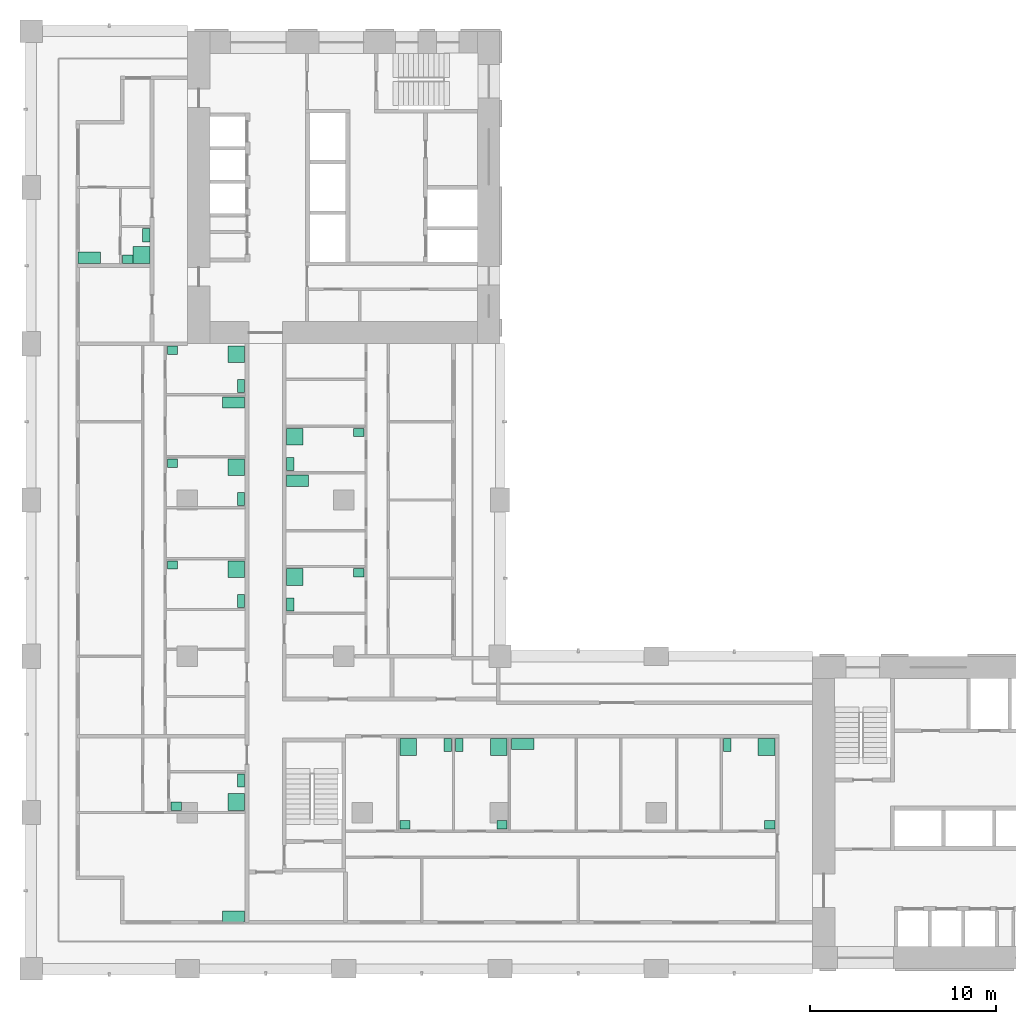
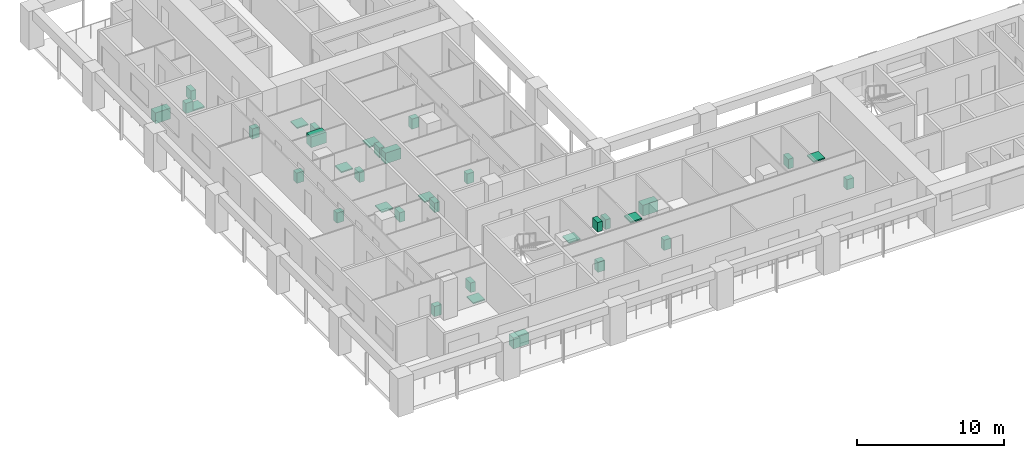
# One storey, part 16 of 16: 35 sanitary terminals.
"""IFC4 building model written with IfcOpenShell, lengths in metres."""

from ifc_helpers import new_model, si_unit, direction, frame, origin, origin_2d, place, context, subcontext, project, spatial, rectangle, extrude, material, element, save


model = new_model("IFC4")

# Units and contexts
model_context = context("Model", 3, precision=1e-05, world=origin(), true_north=direction((0.0, 1.0)))
body_context = subcontext(model_context, "Body", "Model", "MODEL_VIEW")
ifc_project = project(units=[si_unit("LENGTHUNIT", "METRE"), si_unit("AREAUNIT", "SQUARE_METRE"), si_unit("VOLUMEUNIT", "CUBIC_METRE"), si_unit("PLANEANGLEUNIT", "RADIAN"), si_unit("MASSUNIT", "GRAM", prefix="KILO")], contexts=[model_context])

# Site, building, storey
site_placement = place(None, origin())
site = spatial("IfcSite", under=ifc_project, at=site_placement, CompositionType="ELEMENT")
building_placement = place(site_placement, origin())
building = spatial("IfcBuilding", under=site, at=building_placement, Name="Vermilion Gate Residences", CompositionType="ELEMENT")
storey_placement = place(building_placement, frame((0.0, 0.0, 130.199951171875)))
storey = spatial("IfcBuildingStorey", under=building, at=storey_placement, Name="L33", CompositionType="ELEMENT", Elevation=130.199951171875)

# Sanitary terminals
ifc_material_1 = material(Name="Stainless steel", Category="steel")
sanitary_terminal_1_placement = place(storey_placement, frame((10.8798828125, 11.219970703125, 0.0), z_axis=(0.0, 0.0, 1.0), x_axis=(1.0, 0.0, 0.0)))
element("IfcSanitaryTerminal", 1, at=sanitary_terminal_1_placement, inside=storey, material=ifc_material_1, Name="Kitchen sink", PredefinedType="SINK", context=body_context, shape_type="SweptSolid", body=[
    extrude(rectangle(XDim=1.199951171875, YDim=0.60009765625, at=origin_2d()), origin(), (0.0, 0.0, 1.0), 0.89990234375),
])
ifc_material_2 = material(Name="Vitreous china")
sanitary_terminal_2_placement = place(storey_placement, frame((11.030029296875, 17.3701171875, 0.0), z_axis=(0.0, 0.0, 1.0), x_axis=(1.0, 0.0, 0.0)))
element("IfcSanitaryTerminal", 2, at=sanitary_terminal_2_placement, inside=storey, material=ifc_material_2, Name="Shower tray", PredefinedType="SHOWER", context=body_context, shape_type="SweptSolid", body=[
    extrude(rectangle(XDim=0.89990234375, YDim=0.89990234375, at=origin_2d()), origin(), (0.0, 0.0, 1.0), 0.10009765625),
])
sanitary_terminal_3_placement = place(storey_placement, frame((11.280029296875, 18.530029296875, 0.0), z_axis=(0.0, 0.0, 1.0), x_axis=(1.0, 0.0, 0.0)))
element("IfcSanitaryTerminal", 3, at=sanitary_terminal_3_placement, inside=storey, material=ifc_material_2, Name="Toilet", PredefinedType="TOILETPAN", context=body_context, shape_type="SweptSolid", body=[
    extrude(rectangle(XDim=0.39990234375, YDim=0.699951171875, at=origin_2d()), origin(), (0.0, 0.0, 1.0), 0.800048828125),
])
sanitary_terminal_4_placement = place(storey_placement, frame((7.794921875, 17.14501953125, 0.0), z_axis=(0.0, 0.0, 1.0), x_axis=(1.0, 0.0, 0.0)))
element("IfcSanitaryTerminal", 4, at=sanitary_terminal_4_placement, inside=storey, material=ifc_material_2, Name="Wash basin", PredefinedType="WASHHANDBASIN", context=body_context, shape_type="SweptSolid", body=[
    extrude(rectangle(XDim=0.550048828125, YDim=0.449951171875, at=origin_2d()), origin(), (0.0, 0.0, 1.0), 0.85009765625),
])
sanitary_terminal_5_placement = place(storey_placement, frame((20.27001953125, 20.330078125, 0.0), z_axis=(0.0, 0.0, 1.0), x_axis=(1.0, 0.0, 0.0)))
element("IfcSanitaryTerminal", 5, at=sanitary_terminal_5_placement, inside=storey, material=ifc_material_2, Name="Shower tray", PredefinedType="SHOWER", context=body_context, shape_type="SweptSolid", body=[
    extrude(rectangle(XDim=0.89990234375, YDim=0.89990234375, at=origin_2d()), origin(), (0.0, 0.0, 1.0), 0.10009765625),
])
sanitary_terminal_6_placement = place(storey_placement, frame((22.3798828125, 20.429931640625, 0.0), z_axis=(0.0, 0.0, 1.0), x_axis=(1.0, 0.0, 0.0)))
element("IfcSanitaryTerminal", 6, at=sanitary_terminal_6_placement, inside=storey, material=ifc_material_2, Name="Toilet", PredefinedType="TOILETPAN", context=body_context, shape_type="SweptSolid", body=[
    extrude(rectangle(XDim=0.39990234375, YDim=0.699951171875, at=origin_2d()), origin(), (0.0, 0.0, 1.0), 0.800048828125),
])
sanitary_terminal_7_placement = place(storey_placement, frame((20.094970703125, 16.14501953125, 0.0), z_axis=(0.0, 0.0, 1.0), x_axis=(1.0, 0.0, 0.0)))
element("IfcSanitaryTerminal", 7, at=sanitary_terminal_7_placement, inside=storey, material=ifc_material_2, Name="Wash basin", PredefinedType="WASHHANDBASIN", context=body_context, shape_type="SweptSolid", body=[
    extrude(rectangle(XDim=0.550048828125, YDim=0.449951171875, at=origin_2d()), origin(), (0.0, 0.0, 1.0), 0.85009765625),
])
sanitary_terminal_8_placement = place(storey_placement, frame((25.1298828125, 20.330078125, 0.0), z_axis=(0.0, 0.0, 1.0), x_axis=(1.0, 0.0, 0.0)))
element("IfcSanitaryTerminal", 8, at=sanitary_terminal_8_placement, inside=storey, material=ifc_material_2, Name="Shower tray", PredefinedType="SHOWER", context=body_context, shape_type="SweptSolid", body=[
    extrude(rectangle(XDim=0.89990234375, YDim=0.89990234375, at=origin_2d()), origin(), (0.0, 0.0, 1.0), 0.10009765625),
])
sanitary_terminal_9_placement = place(storey_placement, frame((23.02001953125, 20.429931640625, 0.0), z_axis=(0.0, 0.0, 1.0), x_axis=(1.0, 0.0, 0.0)))
element("IfcSanitaryTerminal", 9, at=sanitary_terminal_9_placement, inside=storey, material=ifc_material_2, Name="Toilet", PredefinedType="TOILETPAN", context=body_context, shape_type="SweptSolid", body=[
    extrude(rectangle(XDim=0.39990234375, YDim=0.699951171875, at=origin_2d()), origin(), (0.0, 0.0, 1.0), 0.800048828125),
])
sanitary_terminal_10_placement = place(storey_placement, frame((25.304931640625, 16.14501953125, 0.0), z_axis=(0.0, 0.0, 1.0), x_axis=(1.0, 0.0, 0.0)))
element("IfcSanitaryTerminal", 10, at=sanitary_terminal_10_placement, inside=storey, material=ifc_material_2, Name="Wash basin", PredefinedType="WASHHANDBASIN", context=body_context, shape_type="SweptSolid", body=[
    extrude(rectangle(XDim=0.550048828125, YDim=0.449951171875, at=origin_2d()), origin(), (0.0, 0.0, 1.0), 0.85009765625),
])
sanitary_terminal_11_placement = place(storey_placement, frame((26.419921875, 20.47998046875, 0.0), z_axis=(0.0, 0.0, 1.0), x_axis=(1.0, 0.0, 0.0)))
element("IfcSanitaryTerminal", 11, at=sanitary_terminal_11_placement, inside=storey, material=ifc_material_1, Name="Kitchen sink", PredefinedType="SINK", context=body_context, shape_type="SweptSolid", body=[
    extrude(rectangle(XDim=1.199951171875, YDim=0.60009765625, at=origin_2d()), origin(), (0.0, 0.0, 1.0), 0.89990234375),
])
sanitary_terminal_12_placement = place(storey_placement, frame((39.530029296875, 20.330078125, 0.0), z_axis=(0.0, 0.0, 1.0), x_axis=(1.0, 0.0, 0.0)))
element("IfcSanitaryTerminal", 12, at=sanitary_terminal_12_placement, inside=storey, material=ifc_material_2, Name="Shower tray", PredefinedType="SHOWER", context=body_context, shape_type="SweptSolid", body=[
    extrude(rectangle(XDim=0.89990234375, YDim=0.89990234375, at=origin_2d()), origin(), (0.0, 0.0, 1.0), 0.10009765625),
])
sanitary_terminal_13_placement = place(storey_placement, frame((37.419921875, 20.429931640625, 0.0), z_axis=(0.0, 0.0, 1.0), x_axis=(1.0, 0.0, 0.0)))
element("IfcSanitaryTerminal", 13, at=sanitary_terminal_13_placement, inside=storey, material=ifc_material_2, Name="Toilet", PredefinedType="TOILETPAN", context=body_context, shape_type="SweptSolid", body=[
    extrude(rectangle(XDim=0.39990234375, YDim=0.699951171875, at=origin_2d()), origin(), (0.0, 0.0, 1.0), 0.800048828125),
])
sanitary_terminal_14_placement = place(storey_placement, frame((39.705078125, 16.14501953125, 0.0), z_axis=(0.0, 0.0, 1.0), x_axis=(1.0, 0.0, 0.0)))
element("IfcSanitaryTerminal", 14, at=sanitary_terminal_14_placement, inside=storey, material=ifc_material_2, Name="Wash basin", PredefinedType="WASHHANDBASIN", context=body_context, shape_type="SweptSolid", body=[
    extrude(rectangle(XDim=0.550048828125, YDim=0.449951171875, at=origin_2d()), origin(), (0.0, 0.0, 1.0), 0.85009765625),
])
sanitary_terminal_15_placement = place(storey_placement, frame((11.030029296875, 29.8798828125, 0.0), z_axis=(0.0, 0.0, 1.0), x_axis=(1.0, 0.0, 0.0)))
element("IfcSanitaryTerminal", 15, at=sanitary_terminal_15_placement, inside=storey, material=ifc_material_2, Name="Shower tray", PredefinedType="SHOWER", context=body_context, shape_type="SweptSolid", body=[
    extrude(rectangle(XDim=0.89990234375, YDim=0.89990234375, at=origin_2d()), origin(), (0.0, 0.0, 1.0), 0.10009765625),
])
sanitary_terminal_16_placement = place(storey_placement, frame((11.280029296875, 28.18310546875, 0.0), z_axis=(0.0, 0.0, 1.0), x_axis=(1.0, 0.0, 0.0)))
element("IfcSanitaryTerminal", 16, at=sanitary_terminal_16_placement, inside=storey, material=ifc_material_2, Name="Toilet", PredefinedType="TOILETPAN", context=body_context, shape_type="SweptSolid", body=[
    extrude(rectangle(XDim=0.39990234375, YDim=0.699951171875, at=origin_2d()), origin(), (0.0, 0.0, 1.0), 0.800048828125),
])
sanitary_terminal_17_placement = place(storey_placement, frame((7.594970703125, 30.10498046875, 0.0), z_axis=(0.0, 0.0, 1.0), x_axis=(1.0, 0.0, 0.0)))
element("IfcSanitaryTerminal", 17, at=sanitary_terminal_17_placement, inside=storey, material=ifc_material_2, Name="Wash basin", PredefinedType="WASHHANDBASIN", context=body_context, shape_type="SweptSolid", body=[
    extrude(rectangle(XDim=0.550048828125, YDim=0.449951171875, at=origin_2d()), origin(), (0.0, 0.0, 1.0), 0.85009765625),
])
sanitary_terminal_18_placement = place(storey_placement, frame((11.030029296875, 35.35498046875, 0.0), z_axis=(0.0, 0.0, 1.0), x_axis=(1.0, 0.0, 0.0)))
element("IfcSanitaryTerminal", 18, at=sanitary_terminal_18_placement, inside=storey, material=ifc_material_2, Name="Shower tray", PredefinedType="SHOWER", context=body_context, shape_type="SweptSolid", body=[
    extrude(rectangle(XDim=0.89990234375, YDim=0.89990234375, at=origin_2d()), origin(), (0.0, 0.0, 1.0), 0.10009765625),
])
sanitary_terminal_19_placement = place(storey_placement, frame((11.280029296875, 33.657958984375, 0.0), z_axis=(0.0, 0.0, 1.0), x_axis=(1.0, 0.0, 0.0)))
element("IfcSanitaryTerminal", 19, at=sanitary_terminal_19_placement, inside=storey, material=ifc_material_2, Name="Toilet", PredefinedType="TOILETPAN", context=body_context, shape_type="SweptSolid", body=[
    extrude(rectangle(XDim=0.39990234375, YDim=0.699951171875, at=origin_2d()), origin(), (0.0, 0.0, 1.0), 0.800048828125),
])
sanitary_terminal_20_placement = place(storey_placement, frame((7.594970703125, 35.580078125, 0.0), z_axis=(0.0, 0.0, 1.0), x_axis=(1.0, 0.0, 0.0)))
element("IfcSanitaryTerminal", 20, at=sanitary_terminal_20_placement, inside=storey, material=ifc_material_2, Name="Wash basin", PredefinedType="WASHHANDBASIN", context=body_context, shape_type="SweptSolid", body=[
    extrude(rectangle(XDim=0.550048828125, YDim=0.449951171875, at=origin_2d()), origin(), (0.0, 0.0, 1.0), 0.85009765625),
])
sanitary_terminal_21_placement = place(storey_placement, frame((10.8798828125, 38.843017578125, 0.0), z_axis=(0.0, 0.0, 1.0), x_axis=(1.0, 0.0, 0.0)))
element("IfcSanitaryTerminal", 21, at=sanitary_terminal_21_placement, inside=storey, material=ifc_material_1, Name="Kitchen sink", PredefinedType="SINK", context=body_context, shape_type="SweptSolid", body=[
    extrude(rectangle(XDim=1.199951171875, YDim=0.60009765625, at=origin_2d()), origin(), (0.0, 0.0, 1.0), 0.89990234375),
])
sanitary_terminal_22_placement = place(storey_placement, frame((11.030029296875, 41.429931640625, 0.0), z_axis=(0.0, 0.0, 1.0), x_axis=(1.0, 0.0, 0.0)))
element("IfcSanitaryTerminal", 22, at=sanitary_terminal_22_placement, inside=storey, material=ifc_material_2, Name="Shower tray", PredefinedType="SHOWER", context=body_context, shape_type="SweptSolid", body=[
    extrude(rectangle(XDim=0.89990234375, YDim=0.89990234375, at=origin_2d()), origin(), (0.0, 0.0, 1.0), 0.10009765625),
])
sanitary_terminal_23_placement = place(storey_placement, frame((11.280029296875, 39.73291015625, 0.0), z_axis=(0.0, 0.0, 1.0), x_axis=(1.0, 0.0, 0.0)))
element("IfcSanitaryTerminal", 23, at=sanitary_terminal_23_placement, inside=storey, material=ifc_material_2, Name="Toilet", PredefinedType="TOILETPAN", context=body_context, shape_type="SweptSolid", body=[
    extrude(rectangle(XDim=0.39990234375, YDim=0.699951171875, at=origin_2d()), origin(), (0.0, 0.0, 1.0), 0.800048828125),
])
sanitary_terminal_24_placement = place(storey_placement, frame((7.594970703125, 41.655029296875, 0.0), z_axis=(0.0, 0.0, 1.0), x_axis=(1.0, 0.0, 0.0)))
element("IfcSanitaryTerminal", 24, at=sanitary_terminal_24_placement, inside=storey, material=ifc_material_2, Name="Wash basin", PredefinedType="WASHHANDBASIN", context=body_context, shape_type="SweptSolid", body=[
    extrude(rectangle(XDim=0.550048828125, YDim=0.449951171875, at=origin_2d()), origin(), (0.0, 0.0, 1.0), 0.85009765625),
])
sanitary_terminal_25_placement = place(storey_placement, frame((14.169921875, 29.458984375, 0.0), z_axis=(0.0, 0.0, 1.0), x_axis=(1.0, 0.0, 0.0)))
element("IfcSanitaryTerminal", 25, at=sanitary_terminal_25_placement, inside=storey, material=ifc_material_2, Name="Shower tray", PredefinedType="SHOWER", context=body_context, shape_type="SweptSolid", body=[
    extrude(rectangle(XDim=0.89990234375, YDim=0.89990234375, at=origin_2d()), origin(), (0.0, 0.0, 1.0), 0.10009765625),
])
sanitary_terminal_26_placement = place(storey_placement, frame((13.919921875, 27.98388671875, 0.0), z_axis=(0.0, 0.0, 1.0), x_axis=(1.0, 0.0, 0.0)))
element("IfcSanitaryTerminal", 26, at=sanitary_terminal_26_placement, inside=storey, material=ifc_material_2, Name="Toilet", PredefinedType="TOILETPAN", context=body_context, shape_type="SweptSolid", body=[
    extrude(rectangle(XDim=0.39990234375, YDim=0.699951171875, at=origin_2d()), origin(), (0.0, 0.0, 1.0), 0.800048828125),
])
sanitary_terminal_27_placement = place(storey_placement, frame((17.60498046875, 29.68408203125, 0.0), z_axis=(0.0, 0.0, 1.0), x_axis=(1.0, 0.0, 0.0)))
element("IfcSanitaryTerminal", 27, at=sanitary_terminal_27_placement, inside=storey, material=ifc_material_2, Name="Wash basin", PredefinedType="WASHHANDBASIN", context=body_context, shape_type="SweptSolid", body=[
    extrude(rectangle(XDim=0.550048828125, YDim=0.449951171875, at=origin_2d()), origin(), (0.0, 0.0, 1.0), 0.85009765625),
])
sanitary_terminal_28_placement = place(storey_placement, frame((14.320068359375, 34.636962890625, 0.0), z_axis=(0.0, 0.0, 1.0), x_axis=(1.0, 0.0, 0.0)))
element("IfcSanitaryTerminal", 28, at=sanitary_terminal_28_placement, inside=storey, material=ifc_material_1, Name="Kitchen sink", PredefinedType="SINK", context=body_context, shape_type="SweptSolid", body=[
    extrude(rectangle(XDim=1.199951171875, YDim=0.60009765625, at=origin_2d()), origin(), (0.0, 0.0, 1.0), 0.89990234375),
])
sanitary_terminal_29_placement = place(storey_placement, frame((14.169921875, 37.001953125, 0.0), z_axis=(0.0, 0.0, 1.0), x_axis=(1.0, 0.0, 0.0)))
element("IfcSanitaryTerminal", 29, at=sanitary_terminal_29_placement, inside=storey, material=ifc_material_2, Name="Shower tray", PredefinedType="SHOWER", context=body_context, shape_type="SweptSolid", body=[
    extrude(rectangle(XDim=0.89990234375, YDim=0.89990234375, at=origin_2d()), origin(), (0.0, 0.0, 1.0), 0.10009765625),
])
sanitary_terminal_30_placement = place(storey_placement, frame((13.919921875, 35.527099609375, 0.0), z_axis=(0.0, 0.0, 1.0), x_axis=(1.0, 0.0, 0.0)))
element("IfcSanitaryTerminal", 30, at=sanitary_terminal_30_placement, inside=storey, material=ifc_material_2, Name="Toilet", PredefinedType="TOILETPAN", context=body_context, shape_type="SweptSolid", body=[
    extrude(rectangle(XDim=0.39990234375, YDim=0.699951171875, at=origin_2d()), origin(), (0.0, 0.0, 1.0), 0.800048828125),
])
sanitary_terminal_31_placement = place(storey_placement, frame((17.60498046875, 37.22705078125, 0.0), z_axis=(0.0, 0.0, 1.0), x_axis=(1.0, 0.0, 0.0)))
element("IfcSanitaryTerminal", 31, at=sanitary_terminal_31_placement, inside=storey, material=ifc_material_2, Name="Wash basin", PredefinedType="WASHHANDBASIN", context=body_context, shape_type="SweptSolid", body=[
    extrude(rectangle(XDim=0.550048828125, YDim=0.449951171875, at=origin_2d()), origin(), (0.0, 0.0, 1.0), 0.85009765625),
])
sanitary_terminal_32_placement = place(storey_placement, frame((3.1201171875, 46.6201171875, 0.0), z_axis=(0.0, 0.0, 1.0), x_axis=(1.0, 0.0, 0.0)))
element("IfcSanitaryTerminal", 32, at=sanitary_terminal_32_placement, inside=storey, material=ifc_material_1, Name="Kitchen sink", PredefinedType="SINK", context=body_context, shape_type="SweptSolid", body=[
    extrude(rectangle(XDim=1.199951171875, YDim=0.60009765625, at=origin_2d()), origin(), (0.0, 0.0, 1.0), 0.89990234375),
])
sanitary_terminal_33_placement = place(storey_placement, frame((5.929931640625, 46.77001953125, 0.0), z_axis=(0.0, 0.0, 1.0), x_axis=(1.0, 0.0, 0.0)))
element("IfcSanitaryTerminal", 33, at=sanitary_terminal_33_placement, inside=storey, material=ifc_material_2, Name="Shower tray", PredefinedType="SHOWER", context=body_context, shape_type="SweptSolid", body=[
    extrude(rectangle(XDim=0.89990234375, YDim=0.89990234375, at=origin_2d()), origin(), (0.0, 0.0, 1.0), 0.10009765625),
])
sanitary_terminal_34_placement = place(storey_placement, frame((6.179931640625, 47.830078125, 0.0), z_axis=(0.0, 0.0, 1.0), x_axis=(1.0, 0.0, 0.0)))
element("IfcSanitaryTerminal", 34, at=sanitary_terminal_34_placement, inside=storey, material=ifc_material_2, Name="Toilet", PredefinedType="TOILETPAN", context=body_context, shape_type="SweptSolid", body=[
    extrude(rectangle(XDim=0.39990234375, YDim=0.699951171875, at=origin_2d()), origin(), (0.0, 0.0, 1.0), 0.800048828125),
])
sanitary_terminal_35_placement = place(storey_placement, frame((5.195068359375, 46.544921875, 0.0), z_axis=(0.0, 0.0, 1.0), x_axis=(1.0, 0.0, 0.0)))
element("IfcSanitaryTerminal", 35, at=sanitary_terminal_35_placement, inside=storey, material=ifc_material_2, Name="Wash basin", PredefinedType="WASHHANDBASIN", context=body_context, shape_type="SweptSolid", body=[
    extrude(rectangle(XDim=0.550048828125, YDim=0.449951171875, at=origin_2d()), origin(), (0.0, 0.0, 1.0), 0.85009765625),
])

save(model, "model.ifc")
